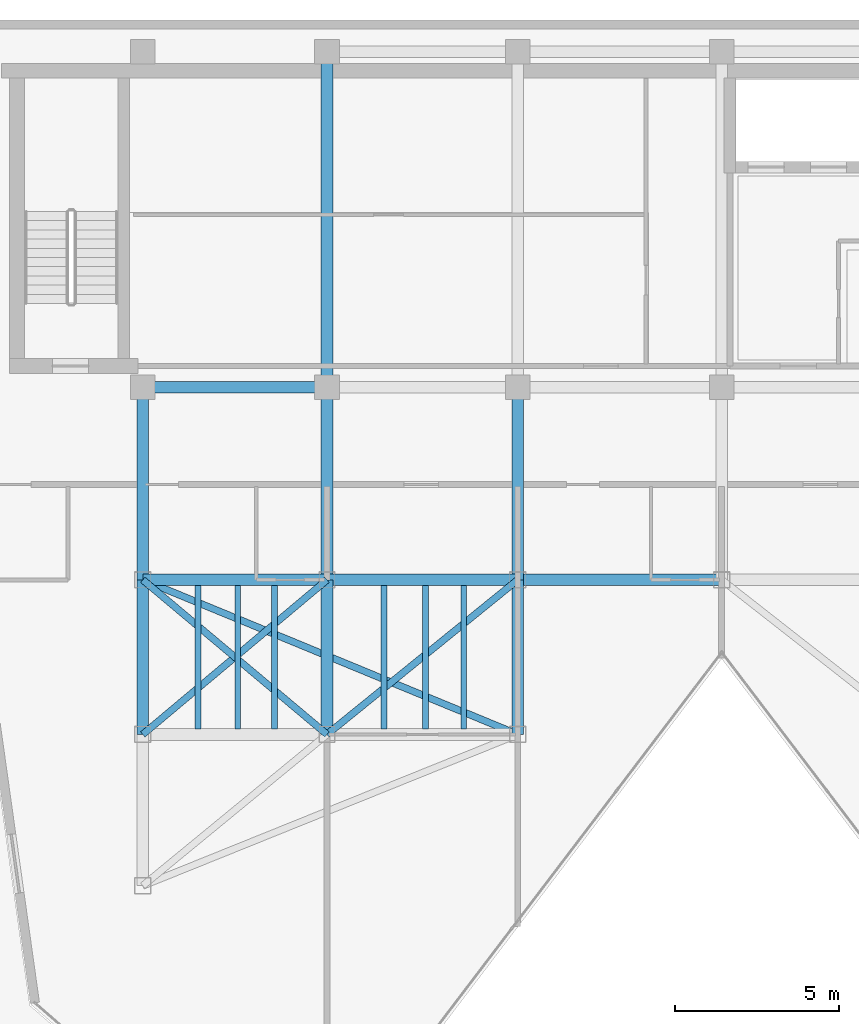
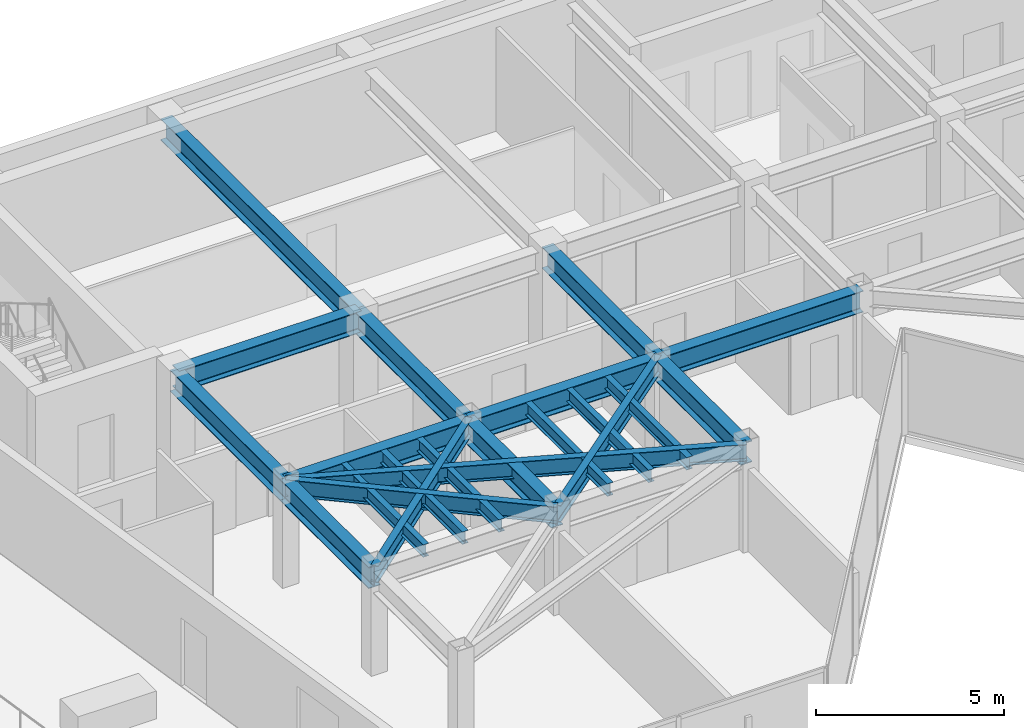
# One storey, part 6 of 21: 21 beams.
"""IFC4 building model written with IfcOpenShell, lengths in metres."""

from ifc_helpers import new_model, si_unit, direction, frame, origin, origin_2d, place, context, subcontext, project, spatial, i_section, extrude, material, material_profile, profile_set, type_object, element, save


model = new_model("IFC4")

# Units and contexts
model_context = context("Model", 3, precision=1e-05, world=origin(), true_north=direction((0.0, 1.0)))
body_context = subcontext(model_context, "Body", "Model", "MODEL_VIEW")
ifc_project = project(units=[si_unit("LENGTHUNIT", "METRE"), si_unit("AREAUNIT", "SQUARE_METRE"), si_unit("VOLUMEUNIT", "CUBIC_METRE"), si_unit("PLANEANGLEUNIT", "RADIAN"), si_unit("MASSUNIT", "GRAM", prefix="KILO")], contexts=[model_context])

# Site, building, storey
site_placement = place(None, origin())
site = spatial("IfcSite", under=ifc_project, at=site_placement, CompositionType="ELEMENT")
building_placement = place(site_placement, origin())
building = spatial("IfcBuilding", under=site, at=building_placement, Name="Kravanh Interchange Tower", CompositionType="ELEMENT")
storey_placement = place(building_placement, frame((0.0, 0.0, 231.0)))
storey = spatial("IfcBuildingStorey", under=building, at=storey_placement, Name="L55", CompositionType="ELEMENT", Elevation=231.0)

# Beams
ifc_material_1 = material(Name="Structural Steel S355", Category="steel")
ifc_material_profile_1 = material_profile(ifc_material_1, i_section(OverallWidth=0.35498046875, OverallDepth=0.696044921875, WebThickness=0.015380859375, FlangeThickness=0.02490234375, FilletRadius=0.02392578125, at=origin_2d()), Name="W27X146")
ifc_profile_set_1 = profile_set([ifc_material_profile_1], Name="Structural Steel S355")
beam_type_1 = type_object("IfcBeamType", Name="Floor Beam W27X146 Structural Steel S355", PredefinedType="BEAM", material=ifc_profile_set_1)
beam_1_placement = place(storey_placement, frame((44.800048828125, 31.5, 3.011962890625), z_axis=(-1.0, 0.0, 0.0), x_axis=(0.0, -1.0, 0.0)))
element("IfcBeam", 1, at=beam_1_placement, inside=storey, type_object=beam_type_1, Name="L55 Primary Floor Girder 3", PredefinedType="BEAM", context=body_context, shape_type="SweptSolid", body=[
    extrude(i_section(OverallWidth=0.35498046875, OverallDepth=0.696044921875, WebThickness=0.015380859375, FlangeThickness=0.02490234375, FilletRadius=0.02392578125, at=origin_2d()), origin(), (0.0, 0.0, 1.0), 6.199951171875),
])
beam_2_placement = place(storey_placement, frame((38.60009765625, 31.5, 3.011962890625), z_axis=(0.0, -1.0, 0.0), x_axis=(1.0, 0.0, 0.0)))
element("IfcBeam", 2, at=beam_2_placement, inside=storey, type_object=beam_type_1, Name="L55 Primary Floor Girder 17", PredefinedType="BEAM", context=body_context, shape_type="SweptSolid", body=[
    extrude(i_section(OverallWidth=0.35498046875, OverallDepth=0.696044921875, WebThickness=0.015380859375, FlangeThickness=0.02490234375, FilletRadius=0.02392578125, at=origin_2d()), origin(), (0.0, 0.0, 1.0), 4.699951171875),
])
beam_3_placement = place(storey_placement, frame((38.60009765625, 31.5, 3.011962890625), z_axis=(-1.0, 0.0, 0.0), x_axis=(0.0, -1.0, 0.0)))
element("IfcBeam", 3, at=beam_3_placement, inside=storey, type_object=beam_type_1, Name="L55 Primary Floor Girder 18", PredefinedType="BEAM", context=body_context, shape_type="SweptSolid", body=[
    extrude(i_section(OverallWidth=0.35498046875, OverallDepth=0.696044921875, WebThickness=0.015380859375, FlangeThickness=0.02490234375, FilletRadius=0.02392578125, at=origin_2d()), origin(), (0.0, 0.0, 1.0), 5.800048828125),
])
beam_4_placement = place(storey_placement, frame((38.60009765625, 31.5, 3.011962890625), z_axis=(0.0, 1.0, 0.0), x_axis=(-1.0, 0.0, 0.0)))
element("IfcBeam", 4, at=beam_4_placement, inside=storey, type_object=beam_type_1, Name="L55 Primary Floor Girder 19", PredefinedType="BEAM", context=body_context, shape_type="SweptSolid", body=[
    extrude(i_section(OverallWidth=0.35498046875, OverallDepth=0.696044921875, WebThickness=0.015380859375, FlangeThickness=0.02490234375, FilletRadius=0.02392578125, at=origin_2d()), origin(), (0.0, 0.0, 1.0), 5.85009765625),
])
beam_5_placement = place(storey_placement, frame((32.800048828125, 31.5, 3.011962890625), z_axis=(0.0, -1.0, 0.0), x_axis=(1.0, 0.0, 0.0)))
element("IfcBeam", 5, at=beam_5_placement, inside=storey, type_object=beam_type_1, Name="L55 Primary Floor Girder 21", PredefinedType="BEAM", context=body_context, shape_type="SweptSolid", body=[
    extrude(i_section(OverallWidth=0.35498046875, OverallDepth=0.696044921875, WebThickness=0.015380859375, FlangeThickness=0.02490234375, FilletRadius=0.02392578125, at=origin_2d()), origin(), (0.0, 0.0, 1.0), 4.699951171875),
])
beam_6_placement = place(storey_placement, frame((32.800048828125, 31.5, 3.011962890625), z_axis=(-1.0, 0.0, 0.0), x_axis=(0.0, -1.0, 0.0)))
element("IfcBeam", 6, at=beam_6_placement, inside=storey, type_object=beam_type_1, Name="L55 Primary Floor Girder 22", PredefinedType="BEAM", context=body_context, shape_type="SweptSolid", body=[
    extrude(i_section(OverallWidth=0.35498046875, OverallDepth=0.696044921875, WebThickness=0.015380859375, FlangeThickness=0.02490234375, FilletRadius=0.02392578125, at=origin_2d()), origin(), (0.0, 0.0, 1.0), 5.60009765625),
])
beam_7_placement = place(storey_placement, frame((32.800048828125, 31.5, 3.011962890625), z_axis=(0.0, 1.0, 0.0), x_axis=(-1.0, 0.0, 0.0)))
element("IfcBeam", 7, at=beam_7_placement, inside=storey, type_object=beam_type_1, Name="L55 Primary Floor Girder 23", PredefinedType="BEAM", context=body_context, shape_type="SweptSolid", body=[
    extrude(i_section(OverallWidth=0.35498046875, OverallDepth=0.696044921875, WebThickness=0.015380859375, FlangeThickness=0.02490234375, FilletRadius=0.02392578125, at=origin_2d()), origin(), (0.0, 0.0, 1.0), 5.85009765625),
])
beam_8_placement = place(storey_placement, frame((27.199951171875, 31.5, 3.011962890625), z_axis=(0.0, -1.0, 0.0), x_axis=(1.0, 0.0, 0.0)))
element("IfcBeam", 8, at=beam_8_placement, inside=storey, type_object=beam_type_1, Name="L55 Primary Floor Girder 25", PredefinedType="BEAM", context=body_context, shape_type="SweptSolid", body=[
    extrude(i_section(OverallWidth=0.35498046875, OverallDepth=0.696044921875, WebThickness=0.015380859375, FlangeThickness=0.02490234375, FilletRadius=0.02392578125, at=origin_2d()), origin(), (0.0, 0.0, 1.0), 4.699951171875),
])
beam_9_placement = place(storey_placement, frame((27.199951171875, 31.5, 3.011962890625), z_axis=(0.0, 1.0, 0.0), x_axis=(-1.0, 0.0, 0.0)))
element("IfcBeam", 9, at=beam_9_placement, inside=storey, type_object=beam_type_1, Name="L55 Primary Floor Girder 26", PredefinedType="BEAM", context=body_context, shape_type="SweptSolid", body=[
    extrude(i_section(OverallWidth=0.35498046875, OverallDepth=0.696044921875, WebThickness=0.015380859375, FlangeThickness=0.02490234375, FilletRadius=0.02392578125, at=origin_2d()), origin(), (0.0, 0.0, 1.0), 5.85009765625),
])
beam_10_placement = place(storey_placement, frame((32.800048828125, 37.35009765625, 3.011962890625), z_axis=(-1.0, 0.0, 0.0), x_axis=(0.0, -1.0, 0.0)))
element("IfcBeam", 10, at=beam_10_placement, inside=storey, type_object=beam_type_1, Name="L55 Primary Floor Girder 58", PredefinedType="BEAM", context=body_context, shape_type="SweptSolid", body=[
    extrude(i_section(OverallWidth=0.35498046875, OverallDepth=0.696044921875, WebThickness=0.015380859375, FlangeThickness=0.02490234375, FilletRadius=0.02392578125, at=origin_2d()), origin(), (0.0, 0.0, 1.0), 5.60009765625),
])
beam_11_placement = place(storey_placement, frame((32.800048828125, 37.35009765625, 3.011962890625), z_axis=(0.0, 1.0, 0.0), x_axis=(-1.0, 0.0, 0.0)))
element("IfcBeam", 11, at=beam_11_placement, inside=storey, type_object=beam_type_1, Name="L55 Primary Floor Girder 59", PredefinedType="BEAM", context=body_context, shape_type="SweptSolid", body=[
    extrude(i_section(OverallWidth=0.35498046875, OverallDepth=0.696044921875, WebThickness=0.015380859375, FlangeThickness=0.02490234375, FilletRadius=0.02392578125, at=origin_2d()), origin(), (0.0, 0.0, 1.0), 10.199951171875),
])
ifc_material_2 = material(Name="Structural Steel S355", Category="steel")
ifc_material_profile_2 = material_profile(ifc_material_2, i_section(OverallWidth=0.177978515625, OverallDepth=0.406005859375, WebThickness=0.0078125, FlangeThickness=0.0126953125, FilletRadius=0.01611328125, at=origin_2d()), Name="W16X40")
ifc_profile_set_2 = profile_set([ifc_material_profile_2], Name="Structural Steel S355")
beam_type_2 = type_object("IfcBeamType", Name="Floor Joist W16X40 Structural Steel S355", PredefinedType="JOIST", material=ifc_profile_set_2)
for number, where, z_axis, x_axis, name in (
    (12, (28.882080078125, 26.972412109375, 3.156982421875), (0.0, 1.0, 0.0), (-1.0, 0.0, 0.0), "L55 Secondary Floor Joist 4"),
    (13, (30.0859375, 26.972412109375, 3.156982421875), (0.0, 1.0, 0.0), (-1.0, 0.0, 0.0), "L55 Secondary Floor Joist 5"),
    (14, (31.2041015625, 26.972412109375, 3.156982421875), (0.0, 1.0, 0.0), (-1.0, 0.0, 0.0), "L55 Secondary Floor Joist 6"),
    (15, (34.530029296875, 26.972412109375, 3.156982421875), (0.0, 1.0, 0.0), (-1.0, 0.0, 0.0), "L55 Secondary Floor Joist 7"),
    (16, (35.7900390625, 26.972412109375, 3.156982421875), (0.0, 1.0, 0.0), (-1.0, 0.0, 0.0), "L55 Secondary Floor Joist 8"),
    (17, (36.9599609375, 26.972412109375, 3.156982421875), (0.0, 1.0, 0.0), (-1.0, 0.0, 0.0), "L55 Secondary Floor Joist 9"),
):
    element("IfcBeam", number, at=place(storey_placement, frame(where, z_axis=z_axis, x_axis=x_axis)), inside=storey, type_object=beam_type_2, Name=name, PredefinedType="JOIST", context=body_context, shape_type="SweptSolid", body=[
        extrude(i_section(OverallWidth=0.177978515625, OverallDepth=0.406005859375, WebThickness=0.0078125, FlangeThickness=0.0126953125, FilletRadius=0.01611328125, at=origin_2d()), origin(), (0.0, 0.0, 1.0), 4.35498046875),
    ])
ifc_material_3 = material(Name="Structural Steel S355", Category="steel")
ifc_material_profile_3 = material_profile(ifc_material_3, i_section(OverallWidth=0.2099609375, OverallDepth=0.537109375, WebThickness=0.010986328125, FlangeThickness=0.017333984375, FilletRadius=0.02001953125, at=origin_2d()), Name="W21X68")
ifc_profile_set_3 = profile_set([ifc_material_profile_3], Name="Structural Steel S355")
beam_type_3 = type_object("IfcBeamType", Name="Floor Spandrel W21X68 Structural Steel S355", PredefinedType="SPANDREL", material=ifc_profile_set_3)
beam_12_placement = place(storey_placement, frame((38.60009765625, 31.5, 3.091552734375), z_axis=(-0.776938619557, -0.629576350764, 0.0), x_axis=(0.629576350764, -0.776938619557, 0.0)))
element("IfcBeam", 18, at=beam_12_placement, inside=storey, type_object=beam_type_3, Name="L55 Perimeter Spandrel 20", PredefinedType="SPANDREL", context=body_context, shape_type="SweptSolid", body=[
    extrude(i_section(OverallWidth=0.2099609375, OverallDepth=0.537109375, WebThickness=0.010986328125, FlangeThickness=0.017333984375, FilletRadius=0.02001953125, at=origin_2d()), origin(), (0.0, 0.0, 1.0), 7.46533203125),
])
for number, where, z_axis, x_axis, name in (
    (19, (32.800048828125, 31.5, 3.091552734375), (-0.765983062929, -0.642860752657, 0.0), (0.642860752657, -0.765983062929, 0.0), "L55 Perimeter Spandrel 24"),
    (20, (27.199951171875, 31.5, 3.091552734375), (0.765983062929, -0.642860752657, 0.0), (0.642860752657, 0.765983062929, 0.0), "L55 Perimeter Spandrel 27"),
):
    element("IfcBeam", number, at=place(storey_placement, frame(where, z_axis=z_axis, x_axis=x_axis)), inside=storey, type_object=beam_type_3, Name=name, PredefinedType="SPANDREL", context=body_context, shape_type="SweptSolid", body=[
        extrude(i_section(OverallWidth=0.2099609375, OverallDepth=0.537109375, WebThickness=0.010986328125, FlangeThickness=0.017333984375, FilletRadius=0.02001953125, at=origin_2d()), origin(), (0.0, 0.0, 1.0), 7.31103515625),
    ])
beam_13_placement = place(storey_placement, frame((27.199951171875, 31.5, 3.091552734375), z_axis=(0.924513176562, -0.381150083778, 0.0), x_axis=(0.381150083778, 0.924513176562, 0.0)))
element("IfcBeam", 21, at=beam_13_placement, inside=storey, type_object=beam_type_3, Name="L55 Perimeter Spandrel 28", PredefinedType="SPANDREL", context=body_context, shape_type="SweptSolid", body=[
    extrude(i_section(OverallWidth=0.2099609375, OverallDepth=0.537109375, WebThickness=0.010986328125, FlangeThickness=0.017333984375, FilletRadius=0.02001953125, at=origin_2d()), origin(), (0.0, 0.0, 1.0), 12.3310546875),
])

save(model, "model.ifc")
